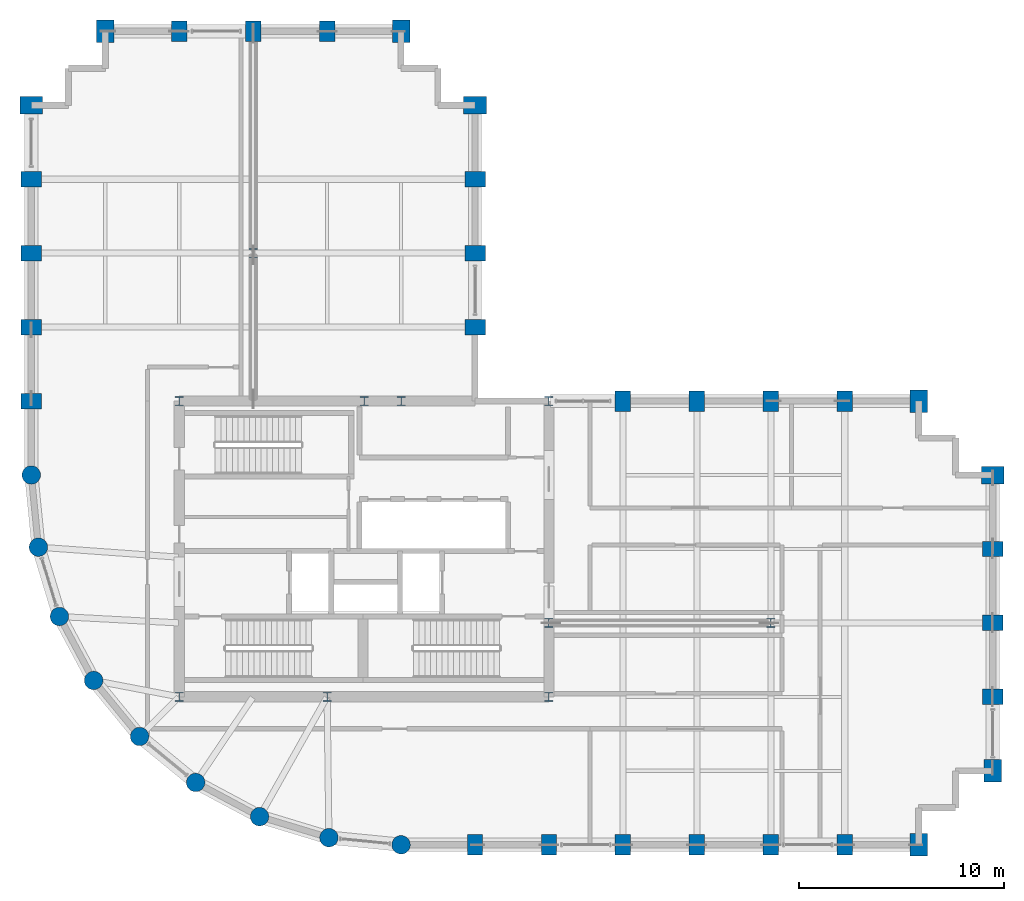
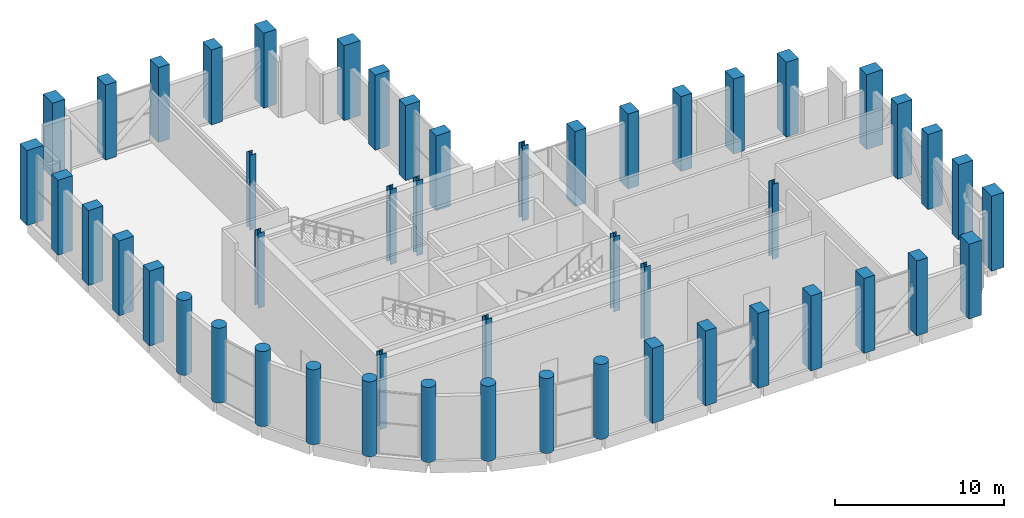
# One storey, part 1 of 19: 50 columns.
"""IFC4 building model written with IfcOpenShell, lengths in metres."""

from ifc_helpers import new_model, si_unit, direction, frame, origin, origin_2d, place, context, subcontext, project, spatial, rectangle, circle, i_section, extrude, material, material_profile, profile_set, type_object, element, save


model = new_model("IFC4")

# Units and contexts
model_context = context("Model", 3, precision=1e-05, world=origin(), true_north=direction((0.0, 1.0)))
body_context = subcontext(model_context, "Body", "Model", "MODEL_VIEW")
ifc_project = project(units=[si_unit("LENGTHUNIT", "METRE"), si_unit("AREAUNIT", "SQUARE_METRE"), si_unit("VOLUMEUNIT", "CUBIC_METRE"), si_unit("PLANEANGLEUNIT", "RADIAN"), si_unit("MASSUNIT", "GRAM", prefix="KILO")], contexts=[model_context])

# Site, building, storey
site_placement = place(None, origin())
site = spatial("IfcSite", under=ifc_project, at=site_placement, CompositionType="ELEMENT")
building_placement = place(site_placement, origin())
building = spatial("IfcBuilding", under=site, at=building_placement, Name="Solnavia Interchange Tower", CompositionType="ELEMENT")
storey_placement = place(building_placement, frame((0.0, 0.0, 169.39990234375)))
storey = spatial("IfcBuildingStorey", under=building, at=storey_placement, Name="L42", CompositionType="ELEMENT", Elevation=169.39990234375)

# Columns
ifc_material_1 = material(Name="Concrete C50/60", Category="concrete")
ifc_material_profile_1 = material_profile(ifc_material_1, rectangle(XDim=0.75, YDim=1.0, at=origin_2d()), Name="RC 1000x750")
ifc_profile_set_1 = profile_set([ifc_material_profile_1], Name="Concrete C50/60")
column_type_1 = type_object("IfcColumnType", Name="Col-RC-1000x750", PredefinedType="COLUMN", material=ifc_profile_set_1)
for number, where, z_axis, x_axis, name in (
    (1, (7.199951171875, 25.199951171875, 0.0), (0.0, 0.0, 1.0), (0.0, 1.0, 0.0), "COL-L42-02 Tower perim y column"),
    (2, (7.199951171875, 28.800048828125, 0.0), (0.0, 0.0, 1.0), (0.0, 1.0, 0.0), "COL-L42-03 Tower perim y column"),
    (3, (7.199951171875, 32.39990234375, 0.0), (0.0, 0.0, 1.0), (0.0, 1.0, 0.0), "COL-L42-04 Tower perim y column"),
    (4, (7.199951171875, 36.0, 0.0), (0.0, 0.0, 1.0), (0.0, 1.0, 0.0), "COL-L42-05 Tower perim y column"),
    (5, (14.39990234375, 43.199951171875, 0.0), (0.0, 0.0, 1.0), (1.0, 0.0, 0.0), "COL-L42-14 Tower perim x column"),
    (6, (18.0, 43.199951171875, 0.0), (0.0, 0.0, 1.0), (1.0, 0.0, 0.0), "COL-L42-17 Tower perim x column"),
    (7, (21.60009765625, 43.199951171875, 0.0), (0.0, 0.0, 1.0), (1.0, 0.0, 0.0), "COL-L42-20 Tower perim x column"),
    (8, (28.800048828125, 3.60009765625, 0.0), (0.0, 0.0, 1.0), (1.0, 0.0, 0.0), "COL-L42-26 Tower perim x column"),
    (9, (28.800048828125, 28.800048828125, 0.0), (0.0, 0.0, 1.0), (0.0, 1.0, 0.0), "COL-L42-27 Tower perim y column"),
    (10, (28.800048828125, 32.39990234375, 0.0), (0.0, 0.0, 1.0), (0.0, 1.0, 0.0), "COL-L42-28 Tower perim y column"),
    (11, (28.800048828125, 36.0, 0.0), (0.0, 0.0, 1.0), (0.0, 1.0, 0.0), "COL-L42-29 Tower perim y column"),
    (12, (32.39990234375, 3.60009765625, 0.0), (0.0, 0.0, 1.0), (1.0, 0.0, 0.0), "COL-L42-31 Tower perim x column"),
    (13, (36.0, 3.60009765625, 0.0), (0.0, 0.0, 1.0), (1.0, 0.0, 0.0), "COL-L42-35 Tower perim x column"),
    (14, (36.0, 25.199951171875, 0.0), (0.0, 0.0, 1.0), (1.0, 0.0, 0.0), "COL-L42-36 Tower perim x column"),
    (15, (39.60009765625, 3.60009765625, 0.0), (0.0, 0.0, 1.0), (1.0, 0.0, 0.0), "COL-L42-37 Tower perim x column"),
    (16, (39.60009765625, 25.199951171875, 0.0), (0.0, 0.0, 1.0), (1.0, 0.0, 0.0), "COL-L42-38 Tower perim x column"),
    (17, (43.199951171875, 3.60009765625, 0.0), (0.0, 0.0, 1.0), (1.0, 0.0, 0.0), "COL-L42-39 Tower perim x column"),
    (18, (43.199951171875, 25.199951171875, 0.0), (0.0, 0.0, 1.0), (1.0, 0.0, 0.0), "COL-L42-41 Tower perim x column"),
    (19, (46.800048828125, 3.60009765625, 0.0), (0.0, 0.0, 1.0), (1.0, 0.0, 0.0), "COL-L42-42 Tower perim x column"),
    (20, (46.800048828125, 25.199951171875, 0.0), (0.0, 0.0, 1.0), (1.0, 0.0, 0.0), "COL-L42-43 Tower perim x column"),
    (21, (54.0, 10.800048828125, 0.0), (0.0, 0.0, 1.0), (0.0, 1.0, 0.0), "COL-L42-47 Tower perim y column"),
    (22, (54.0, 14.39990234375, 0.0), (0.0, 0.0, 1.0), (0.0, 1.0, 0.0), "COL-L42-48 Tower perim y column"),
    (23, (54.0, 18.0, 0.0), (0.0, 0.0, 1.0), (0.0, 1.0, 0.0), "COL-L42-49 Tower perim y column"),
):
    element("IfcColumn", number, at=place(storey_placement, frame(where, z_axis=z_axis, x_axis=x_axis)), inside=storey, type_object=column_type_1, Name=name, PredefinedType="COLUMN", context=body_context, shape_type="SweptSolid", body=[
        extrude(rectangle(XDim=0.75, YDim=1.0, at=origin_2d()), origin(), (0.0, 0.0, 1.0), 5.400146484375),
    ])
ifc_material_profile_2 = material_profile(ifc_material_1, rectangle(XDim=0.85009765625, YDim=1.10009765625, at=origin_2d()), Name="RC 1100x850")
ifc_profile_set_2 = profile_set([ifc_material_profile_2], Name="Concrete C50/60")
column_type_2 = type_object("IfcColumnType", Name="Col-RC-1100x850", PredefinedType="COLUMN", material=ifc_profile_set_2)
for number, where, z_axis, x_axis, name in (
    (24, (7.199951171875, 39.60009765625, 0.0), (0.0, 0.0, 1.0), (0.0, 1.0, 0.0), "COL-L42-06 Tower corner column"),
    (25, (10.800048828125, 43.199951171875, 0.0), (0.0, 0.0, 1.0), (1.0, 0.0, 0.0), "COL-L42-10 Tower corner column"),
    (26, (25.199951171875, 43.199951171875, 0.0), (0.0, 0.0, 1.0), (1.0, 0.0, 0.0), "COL-L42-25 Tower corner column"),
    (27, (28.800048828125, 39.60009765625, 0.0), (0.0, 0.0, 1.0), (0.0, 1.0, 0.0), "COL-L42-30 Tower corner column"),
    (28, (50.39990234375, 3.60009765625, 0.0), (0.0, 0.0, 1.0), (1.0, 0.0, 0.0), "COL-L42-44 Tower corner column"),
    (29, (50.39990234375, 25.199951171875, 0.0), (0.0, 0.0, 1.0), (1.0, 0.0, 0.0), "COL-L42-45 Tower corner column"),
    (30, (54.0, 7.199951171875, 0.0), (0.0, 0.0, 1.0), (1.0, 0.0, 0.0), "COL-L42-46 Tower corner column"),
    (31, (54.0, 21.60009765625, 0.0), (0.0, 0.0, 1.0), (0.0, 1.0, 0.0), "COL-L42-50 Tower corner column"),
):
    element("IfcColumn", number, at=place(storey_placement, frame(where, z_axis=z_axis, x_axis=x_axis)), inside=storey, type_object=column_type_2, Name=name, PredefinedType="COLUMN", context=body_context, shape_type="SweptSolid", body=[
        extrude(rectangle(XDim=0.85009765625, YDim=1.10009765625, at=origin_2d()), origin(), (0.0, 0.0, 1.0), 5.400146484375),
    ])
ifc_material_profile_3 = material_profile(ifc_material_1, circle(Radius=0.449951171875, at=origin_2d()), Name="RC D900")
ifc_profile_set_3 = profile_set([ifc_material_profile_3], Name="Concrete C50/60")
column_type_3 = type_object("IfcColumnType", Name="Col-RC-D900", PredefinedType="COLUMN", material=ifc_profile_set_3)
for number, where, z_axis, x_axis, name in (
    (32, (7.199951171875, 21.60009765625, 0.0), (0.0, 0.0, 1.0), (1.0, 0.0, 0.0), "COL-L42-01 Tower drum column"),
    (33, (7.5458984375, 18.087890625, 0.0), (0.0, 0.0, 1.0), (1.0, 0.0, 0.0), "COL-L42-07 Tower drum column"),
    (34, (8.570068359375, 14.7119140625, 0.0), (0.0, 0.0, 1.0), (1.0, 0.0, 0.0), "COL-L42-08 Tower drum column"),
    (35, (10.23388671875, 11.60009765625, 0.0), (0.0, 0.0, 1.0), (1.0, 0.0, 0.0), "COL-L42-09 Tower drum column"),
    (36, (12.471923828125, 8.8720703125, 0.0), (0.0, 0.0, 1.0), (1.0, 0.0, 0.0), "COL-L42-11 Tower drum column"),
    (37, (15.199951171875, 6.634033203125, 0.0), (0.0, 0.0, 1.0), (1.0, 0.0, 0.0), "COL-L42-15 Tower drum column"),
    (38, (18.31201171875, 4.969970703125, 0.0), (0.0, 0.0, 1.0), (1.0, 0.0, 0.0), "COL-L42-18 Tower drum column"),
    (39, (21.68798828125, 3.946044921875, 0.0), (0.0, 0.0, 1.0), (1.0, 0.0, 0.0), "COL-L42-21 Tower drum column"),
    (40, (25.199951171875, 3.60009765625, 0.0), (0.0, 0.0, 1.0), (1.0, 0.0, 0.0), "COL-L42-23 Tower drum column"),
):
    element("IfcColumn", number, at=place(storey_placement, frame(where, z_axis=z_axis, x_axis=x_axis)), inside=storey, type_object=column_type_3, Name=name, PredefinedType="COLUMN", context=body_context, shape_type="SweptSolid", body=[
        extrude(circle(Radius=0.449951171875, at=origin_2d()), origin(), (0.0, 0.0, 1.0), 5.400146484375),
    ])
ifc_material_2 = material(Name="Steel S355", Category="steel")
ifc_material_profile_4 = material_profile(ifc_material_2, i_section(OverallWidth=0.416015625, OverallDepth=0.44189453125, WebThickness=0.02490234375, FlangeThickness=0.041015625, FilletRadius=0.014892578125, at=origin_2d()), Name="HD 400x382")
ifc_profile_set_4 = profile_set([ifc_material_profile_4], Name="Steel S355")
column_type_4 = type_object("IfcColumnType", Name="Col-Steel-HD400x382", PredefinedType="COLUMN", material=ifc_profile_set_4)
for number, where, z_axis, x_axis, name in (
    (41, (14.39990234375, 10.800048828125, 0.0), (0.0, 0.0, 1.0), (1.0, 0.0, 0.0), "COL-L42-12 Tower interior column"),
    (42, (14.39990234375, 25.199951171875, 0.0), (0.0, 0.0, 1.0), (1.0, 0.0, 0.0), "COL-L42-13 Tower interior column"),
    (43, (18.0, 32.39990234375, 0.0), (0.0, 0.0, 1.0), (1.0, 0.0, 0.0), "COL-L42-16 Tower interior column"),
    (44, (21.60009765625, 10.800048828125, 0.0), (0.0, 0.0, 1.0), (1.0, 0.0, 0.0), "COL-L42-19 Tower interior column"),
    (45, (23.39990234375, 25.199951171875, 0.0), (0.0, 0.0, 1.0), (1.0, 0.0, 0.0), "COL-L42-22 Tower interior column"),
    (46, (25.199951171875, 25.199951171875, 0.0), (0.0, 0.0, 1.0), (1.0, 0.0, 0.0), "COL-L42-24 Tower interior column"),
    (47, (32.39990234375, 10.800048828125, 0.0), (0.0, 0.0, 1.0), (1.0, 0.0, 0.0), "COL-L42-32 Tower interior column"),
    (48, (32.39990234375, 14.39990234375, 0.0), (0.0, 0.0, 1.0), (1.0, 0.0, 0.0), "COL-L42-33 Tower interior column"),
    (49, (32.39990234375, 25.199951171875, 0.0), (0.0, 0.0, 1.0), (1.0, 0.0, 0.0), "COL-L42-34 Tower interior column"),
    (50, (43.199951171875, 14.39990234375, 0.0), (0.0, 0.0, 1.0), (1.0, 0.0, 0.0), "COL-L42-40 Tower interior column"),
):
    element("IfcColumn", number, at=place(storey_placement, frame(where, z_axis=z_axis, x_axis=x_axis)), inside=storey, type_object=column_type_4, Name=name, PredefinedType="COLUMN", context=body_context, shape_type="SweptSolid", body=[
        extrude(i_section(OverallWidth=0.416015625, OverallDepth=0.44189453125, WebThickness=0.02490234375, FlangeThickness=0.041015625, FilletRadius=0.014892578125, at=origin_2d()), origin(), (0.0, 0.0, 1.0), 5.400146484375),
    ])

save(model, "model.ifc")
